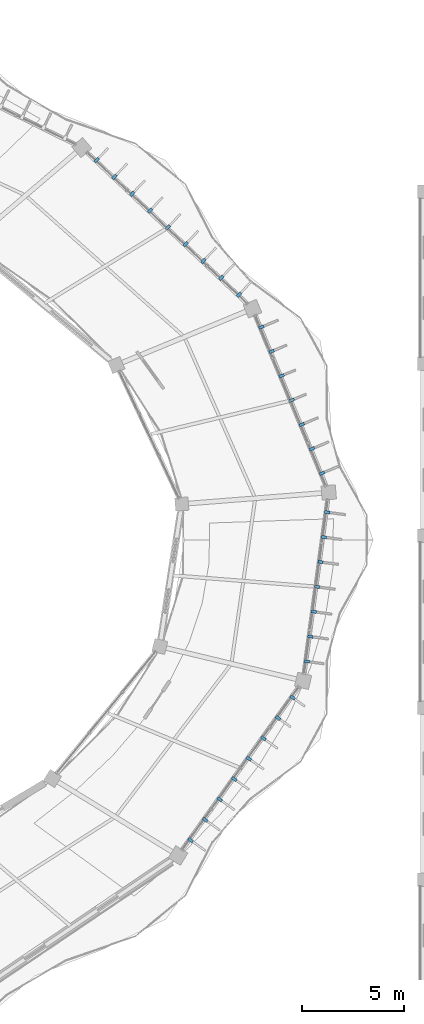
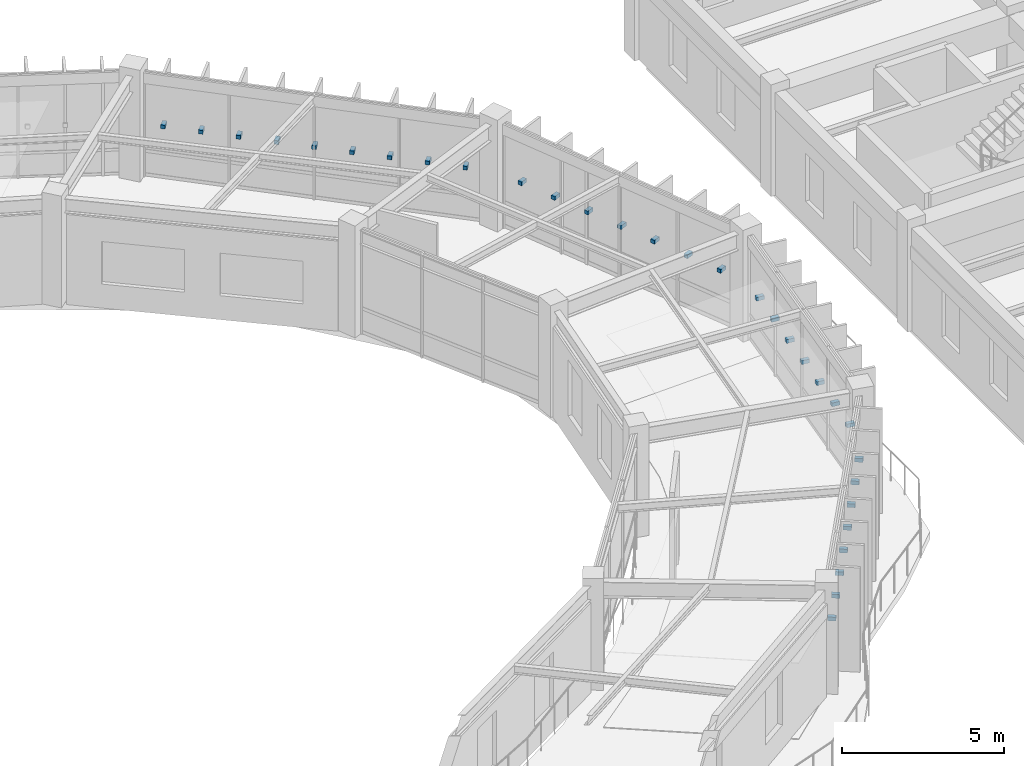
# One storey, part 126 of 138: 31 discrete accessories.
"""IFC4 building model written with IfcOpenShell, lengths in metres."""

from ifc_helpers import new_model, si_unit, direction, frame, origin, origin_2d, place, context, subcontext, project, spatial, rectangle, extrude, material, type_object, element, save


model = new_model("IFC4")

# Units and contexts
model_context = context("Model", 3, precision=1e-05, world=origin(), true_north=direction((0.0, 1.0)))
body_context = subcontext(model_context, "Body", "Model", "MODEL_VIEW")
ifc_project = project(units=[si_unit("LENGTHUNIT", "METRE"), si_unit("AREAUNIT", "SQUARE_METRE"), si_unit("VOLUMEUNIT", "CUBIC_METRE"), si_unit("PLANEANGLEUNIT", "RADIAN"), si_unit("MASSUNIT", "GRAM", prefix="KILO"), si_unit("THERMODYNAMICTEMPERATUREUNIT", "KELVIN"), si_unit("POWERUNIT", "WATT")], contexts=[model_context])

# Site, building, storey
site_placement = place(None, origin())
site = spatial("IfcSite", under=ifc_project, at=site_placement, CompositionType="ELEMENT")
building_placement = place(site_placement, origin())
building = spatial("IfcBuilding", under=site, at=building_placement, Name="Darbajah Civic Hall", CompositionType="ELEMENT")
storey_placement = place(building_placement, frame((0.0, 0.0, 9.60009765625)))
storey = spatial("IfcBuildingStorey", under=building, at=storey_placement, Name="L02", CompositionType="ELEMENT", Elevation=9.60009765625)

# Discrete accessories
ifc_material = material(Name="Stainless Steel S355JR", Category="steel")
discrete_accessory_type = type_object("IfcDiscreteAccessoryType", Name="Stainless Facade Support Bracket", PredefinedType="BRACKET", material=ifc_material)
for number, where, z_axis, x_axis, name in (
    (1, (139.616455078125, 93.05712890625, 1.89013671875), (0.0, 0.0, 1.0), (0.923612143954, 0.383328328644, 0.0), "L02 shading fin bracket 00-1"),
    (2, (139.122802734375, 94.246337890625, 1.89013671875), (0.0, 0.0, 1.0), (0.923612143954, 0.383328328644, 0.0), "L02 shading fin bracket 00-2"),
    (3, (138.62939453125, 95.435546875, 1.89013671875), (0.0, 0.0, 1.0), (0.923612143954, 0.383328328644, 0.0), "L02 shading fin bracket 00-3"),
    (4, (138.1357421875, 96.625, 1.89013671875), (0.0, 0.0, 1.0), (0.923612143954, 0.383328328644, 0.0), "L02 shading fin bracket 00-4"),
    (5, (137.64208984375, 97.814208984375, 1.89013671875), (0.0, 0.0, 1.0), (0.923612143954, 0.383328328644, 0.0), "L02 shading fin bracket 00-5"),
    (6, (137.148681640625, 99.00341796875, 1.89013671875), (0.0, 0.0, 1.0), (0.923612143954, 0.383328328644, 0.0), "L02 shading fin bracket 00-6"),
    (7, (136.655029296875, 100.1923828125, 1.89013671875), (0.0, 0.0, 1.0), (0.923612143954, 0.383328328644, 0.0), "L02 shading fin bracket 00-7"),
    (8, (135.568359375, 101.784912109375, 1.89013671875), (0.0, 0.0, 1.0), (0.686453193248, 0.727173991201, 0.0), "L02 shading fin bracket 01-1"),
    (9, (134.698974609375, 102.60546875, 1.89013671875), (0.0, 0.0, 1.0), (0.686453193248, 0.727173991201, 0.0), "L02 shading fin bracket 01-2"),
    (10, (133.829345703125, 103.42626953125, 1.89013671875), (0.0, 0.0, 1.0), (0.686453193248, 0.727173991201, 0.0), "L02 shading fin bracket 01-3"),
    (11, (132.9599609375, 104.246826171875, 1.89013671875), (0.0, 0.0, 1.0), (0.686453193248, 0.727173991201, 0.0), "L02 shading fin bracket 01-4"),
    (12, (132.090576171875, 105.067626953125, 1.89013671875), (0.0, 0.0, 1.0), (0.686453193248, 0.727173991201, 0.0), "L02 shading fin bracket 01-5"),
    (13, (131.220947265625, 105.88818359375, 1.89013671875), (0.0, 0.0, 1.0), (0.686453193248, 0.727173991201, 0.0), "L02 shading fin bracket 01-6"),
    (14, (130.3515625, 106.708984375, 1.89013671875), (0.0, 0.0, 1.0), (0.686453193248, 0.727173991201, 0.0), "L02 shading fin bracket 01-7"),
    (15, (129.482177734375, 107.52978515625, 1.89013671875), (0.0, 0.0, 1.0), (0.686453193248, 0.727173991201, 0.0), "L02 shading fin bracket 01-8"),
    (16, (128.612548828125, 108.350341796875, 1.89013671875), (0.0, 0.0, 1.0), (0.686453193248, 0.727173991201, 0.0), "L02 shading fin bracket 01-9"),
    (17, (133.1943359375, 75.134765625, 1.89013671875), (0.0, 0.0, 1.0), (0.812999149039, -0.582264874145, 0.0), "L02 shading fin bracket 18-1"),
    (18, (133.906494140625, 76.129150390625, 1.89013671875), (0.0, 0.0, 1.0), (0.812999149039, -0.582264874145, 0.0), "L02 shading fin bracket 18-2"),
    (19, (134.618408203125, 77.123291015625, 1.89013671875), (0.0, 0.0, 1.0), (0.812999149039, -0.582264874145, 0.0), "L02 shading fin bracket 18-3"),
    (20, (135.33056640625, 78.11767578125, 1.89013671875), (0.0, 0.0, 1.0), (0.812999149039, -0.582264874145, 0.0), "L02 shading fin bracket 18-4"),
    (21, (136.04248046875, 79.112060546875, 1.89013671875), (0.0, 0.0, 1.0), (0.812999149039, -0.582264874145, 0.0), "L02 shading fin bracket 18-5"),
    (22, (136.754638671875, 80.1064453125, 1.89013671875), (0.0, 0.0, 1.0), (0.812999149039, -0.582264874145, 0.0), "L02 shading fin bracket 18-6"),
    (23, (137.466796875, 81.100830078125, 1.89013671875), (0.0, 0.0, 1.0), (0.812999149039, -0.582264874145, 0.0), "L02 shading fin bracket 18-7"),
    (24, (138.1787109375, 82.09521484375, 1.89013671875), (0.0, 0.0, 1.0), (0.812999149039, -0.582264874145, 0.0), "L02 shading fin bracket 18-8"),
    (25, (138.880615234375, 83.861572265625, 1.89013671875), (0.0, 0.0, 1.0), (0.990865897387, -0.134850930274, 0.0), "L02 shading fin bracket 19-1"),
    (26, (139.0458984375, 85.076416015625, 1.89013671875), (0.0, 0.0, 1.0), (0.990865897387, -0.134850930274, 0.0), "L02 shading fin bracket 19-2"),
    (27, (139.2109375, 86.291015625, 1.89013671875), (0.0, 0.0, 1.0), (0.990865897387, -0.134850930274, 0.0), "L02 shading fin bracket 19-3"),
    (28, (139.376220703125, 87.505859375, 1.89013671875), (0.0, 0.0, 1.0), (0.990865897387, -0.134850930274, 0.0), "L02 shading fin bracket 19-4"),
    (29, (139.54150390625, 88.720703125, 1.89013671875), (0.0, 0.0, 1.0), (0.990865897387, -0.134850930274, 0.0), "L02 shading fin bracket 19-5"),
    (30, (139.706787109375, 89.935302734375, 1.89013671875), (0.0, 0.0, 1.0), (0.990865897387, -0.134850930274, 0.0), "L02 shading fin bracket 19-6"),
    (31, (139.8720703125, 91.150146484375, 1.89013671875), (0.0, 0.0, 1.0), (0.990865897387, -0.134850930274, 0.0), "L02 shading fin bracket 19-7"),
):
    element("IfcDiscreteAccessory", number, at=place(storey_placement, frame(where, z_axis=z_axis, x_axis=x_axis)), inside=storey, type_object=discrete_accessory_type, Name=name, PredefinedType="BRACKET", context=body_context, shape_type="SweptSolid", body=[
        extrude(rectangle(XDim=0.260009765625, YDim=0.139892578125, at=origin_2d()), origin(), (0.0, 0.0, 1.0), 0.139892578125),
    ])

save(model, "model.ifc")
